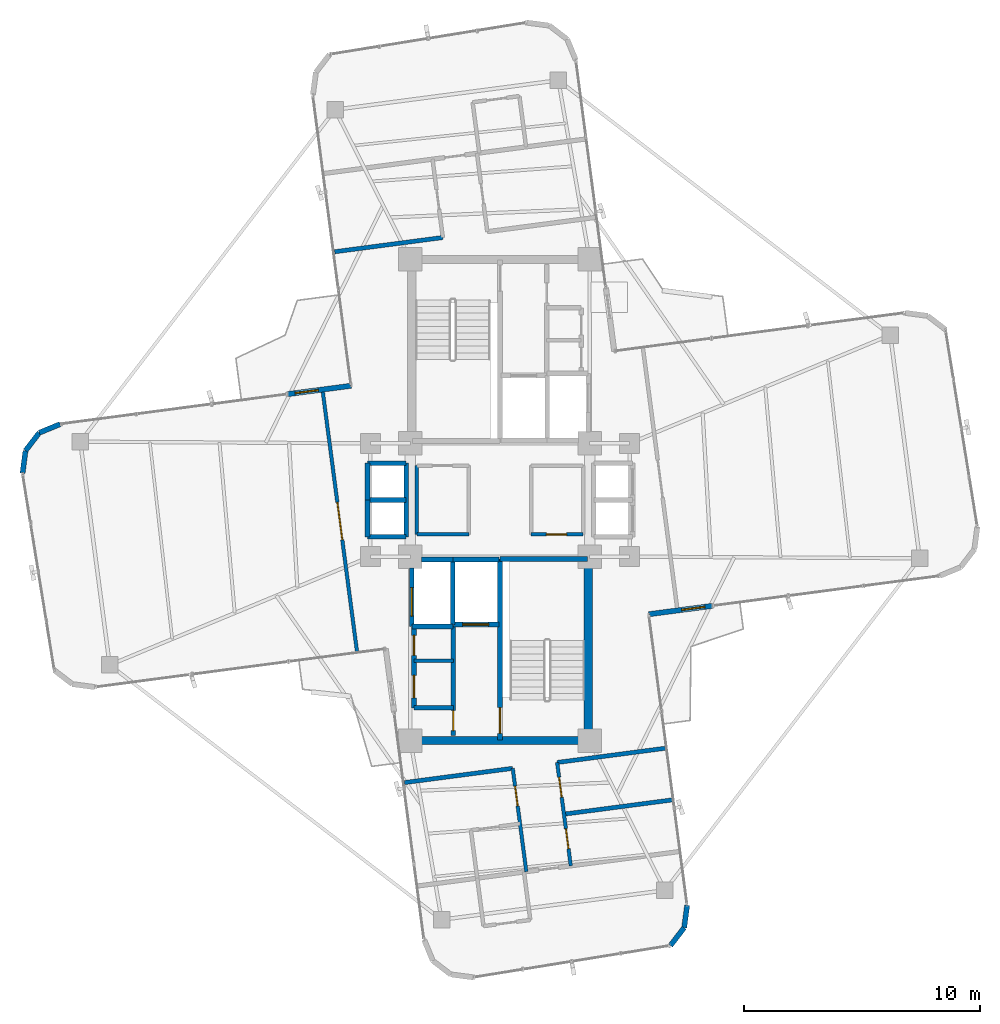
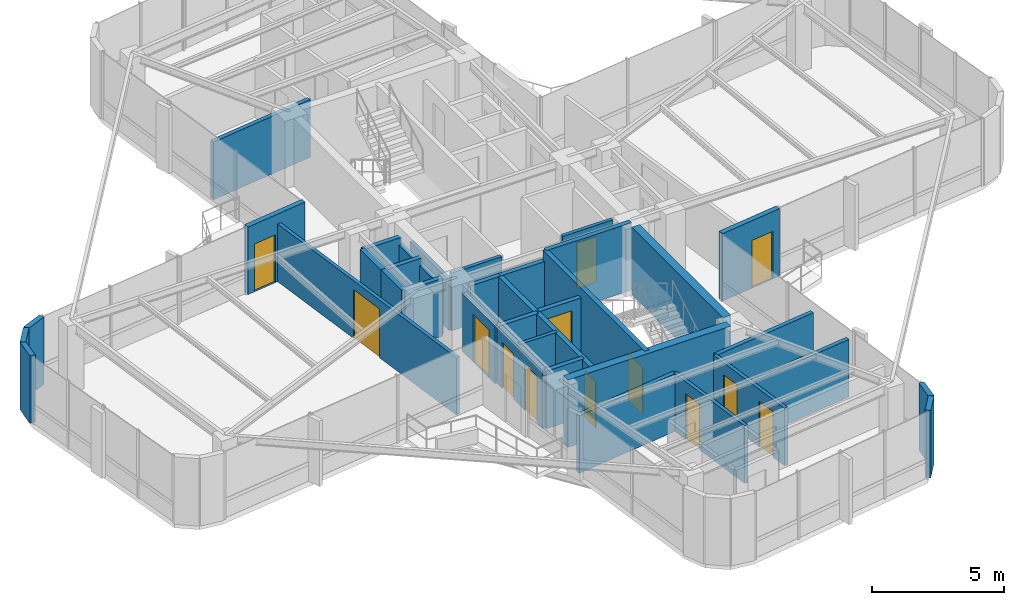
# One storey, part 19 of 22: 37 walls, 13 doors, 13 openings.
"""IFC4 building model written with IfcOpenShell, lengths in metres."""

from ifc_helpers import new_model, si_unit, direction, frame, frame_2d, origin, origin_2d, place, context, subcontext, project, spatial, rectangle, extrude, source, transform, mapped, material, layer, layer_set, type_object, element, fill, save


model = new_model("IFC4")

# Units and contexts
model_context = context("Model", 3, precision=1e-05, world=origin(), true_north=direction((0.0, 1.0)))
body_context = subcontext(model_context, "Body", "Model", "MODEL_VIEW")
ifc_project = project(units=[si_unit("LENGTHUNIT", "METRE"), si_unit("AREAUNIT", "SQUARE_METRE"), si_unit("VOLUMEUNIT", "CUBIC_METRE"), si_unit("PLANEANGLEUNIT", "RADIAN"), si_unit("MASSUNIT", "GRAM", prefix="KILO")], contexts=[model_context])

# Site, building, storey
site_placement = place(None, origin())
site = spatial("IfcSite", under=ifc_project, at=site_placement, CompositionType="ELEMENT")
building_placement = place(site_placement, origin())
building = spatial("IfcBuilding", under=site, at=building_placement, Name="Sahyath Konkavel Grand Hotel", CompositionType="ELEMENT")
storey_placement = place(building_placement, frame((0.0, 0.0, 237.800048828125)))
storey = spatial("IfcBuildingStorey", under=building, at=storey_placement, Name="L66", CompositionType="ELEMENT", Elevation=237.800048828125)

# Walls
ifc_material_1 = material(Name="Concrete C40/50", Category="concrete")
ifc_layer_1 = layer(ifc_material_1, 0.35009765625)
ifc_layer_set_1 = layer_set([ifc_layer_1], Name="Concrete C40/50")
wall_type_1 = type_object("IfcWallType", Name="CWALL-350", PredefinedType="SHEAR", material=ifc_layer_set_1)
wall_1_placement = place(storey_placement, frame((-3.550048828125, -10.199951171875, 0.0), z_axis=(0.0, 0.0, 1.0), x_axis=(1.0, 0.0, 0.0)))
element("IfcWall", 1, at=wall_1_placement, inside=storey, type_object=wall_type_1, Name="L66 South Core Shear Wall S", PredefinedType="SHEAR", context=body_context, shape_type="SweptSolid", body=[
    extrude(rectangle(XDim=7.10009765625, YDim=0.35009765625, at=frame_2d((3.550048828125, 0.0))), origin(), (0.0, 0.0, 1.0), 3.10986328125),
])
wall_2_placement = place(storey_placement, frame((3.739990234375, -9.75, 0.0), z_axis=(0.0, 0.0, 1.0), x_axis=(0.0, 1.0, 0.0)))
element("IfcWall", 2, at=wall_2_placement, inside=storey, type_object=wall_type_1, Name="L66 South Core Shear Wall E", PredefinedType="SHEAR", context=body_context, shape_type="SweptSolid", body=[
    extrude(rectangle(XDim=6.89990234375, YDim=0.35009765625, at=frame_2d((3.449951171875, 0.0))), origin(), (0.0, 0.0, 1.0), 3.10986328125),
])

# Wall, opening, door
ifc_material_2 = material(Name="Warm Buff Sandstone Insulated Concrete C40/50", Category="masonry")
ifc_layer_2 = layer(ifc_material_2, 0.219970703125)
ifc_layer_set_2 = layer_set([ifc_layer_2], Name="Warm Buff Sandstone Insulated Concrete C40/50")
wall_type_2 = type_object("IfcWallType", Name="WLL-BALC-THRESH", PredefinedType="STANDARD", material=ifc_layer_set_2)
wall_3_placement = place(storey_placement, frame((6.31103515625, -4.8427734375, 0.0), z_axis=(0.0, 0.0, 1.0), x_axis=(0.991439824936, 0.130564442062, 0.0)))
wall_3 = element("IfcWall", 3, at=wall_3_placement, inside=storey, type_object=wall_type_2, Name="L66 Winter-Garden Threshold Wall 0", PredefinedType="STANDARD", context=body_context, shape_type="SweptSolid", body=[
    extrude(rectangle(XDim=2.7001953125, YDim=0.219970703125, at=frame_2d((1.35009765625, 0.0))), origin(), (0.0, 0.0, 1.0), 3.10986328125),
])
opening_1_placement = place(wall_3_placement, frame((1.39990234375, 0.0, 0.0)))
opening_1 = element("IfcOpeningElement", 4, at=opening_1_placement, cuts=wall_3, Name="Opening D-TR1", PredefinedType="OPENING", context=body_context, shape_type="SweptSolid", body=[
    extrude(rectangle(XDim=1.0, YDim=2.199951171875, at=frame_2d((0.5, 1.10009765625))), frame((0.0, 0.1201171875, 0.0), z_axis=(0.0, -1.0, 0.0), x_axis=(1.0, 0.0, 0.0)), (0.0, 0.0, 1.0), 0.239990234375),
])
ifc_material_3 = material(Name="Anodised Bronze Aluminium & Low-E Glazing", Category="aluminium")
door_type_1 = type_object("IfcDoorType", Name="DR-TERRACE-1000", OperationType="NOTDEFINED", PredefinedType="DOOR", material=ifc_material_3)
shared_shape_1 = source(origin(), body_context, "Body", "SweptSolid", [
    extrude(rectangle(XDim=1.0, YDim=0.050048828125, at=origin_2d()), origin(), (0.0, 0.0, 1.0), 2.199951171875),
])
door_1_placement = place(opening_1_placement, frame((0.5, 0.0, 0.0)))
door_1 = element("IfcDoor", 5, at=door_1_placement, inside=storey, type_object=door_type_1, Name="L66 Winter-Garden Terrace Door 0", OperationType="SINGLE_SWING_LEFT", OverallHeight=2.199951171875, OverallWidth=1.0, PredefinedType="DOOR", context=body_context, shape_type="MappedRepresentation", body=[
    mapped(shared_shape_1, transform((0.0, 0.0, 0.0), scale=1.0)),
])
fill(opening_1, door_1)

wall_4_placement = place(storey_placement, frame((-6.31103515625, 4.8427734375, 0.0), z_axis=(0.0, 0.0, 1.0), x_axis=(-0.991439824936, -0.130564442062, 0.0)))
wall_4 = element("IfcWall", 6, at=wall_4_placement, inside=storey, type_object=wall_type_2, Name="L66 Winter-Garden Threshold Wall 16", PredefinedType="STANDARD", context=body_context, shape_type="SweptSolid", body=[
    extrude(rectangle(XDim=2.7001953125, YDim=0.219970703125, at=frame_2d((1.35009765625, 0.0))), origin(), (0.0, 0.0, 1.0), 3.10986328125),
])
opening_2_placement = place(wall_4_placement, frame((1.39990234375, 0.0, 0.0)))
opening_2 = element("IfcOpeningElement", 7, at=opening_2_placement, cuts=wall_4, Name="Opening D-TR1", PredefinedType="OPENING", context=body_context, shape_type="SweptSolid", body=[
    extrude(rectangle(XDim=1.0, YDim=2.199951171875, at=frame_2d((0.5, 1.10009765625))), frame((0.0, 0.1201171875, 0.0), z_axis=(0.0, -1.0, 0.0), x_axis=(1.0, 0.0, 0.0)), (0.0, 0.0, 1.0), 0.239990234375),
])
door_2_placement = place(opening_2_placement, frame((0.5, 0.0, 0.0)))
door_2 = element("IfcDoor", 8, at=door_2_placement, inside=storey, type_object=door_type_1, Name="L66 Winter-Garden Terrace Door 16", OperationType="SINGLE_SWING_LEFT", OverallHeight=2.199951171875, OverallWidth=1.0, PredefinedType="DOOR", context=body_context, shape_type="MappedRepresentation", body=[
    mapped(shared_shape_1, transform((0.0, 0.0, 0.0), scale=1.0)),
])
fill(opening_2, door_2)

# Walls
wall_5_placement = place(storey_placement, frame((-18.649658203125, 3.21826171875, 0.0), z_axis=(0.0, 0.0, 1.0), x_axis=(-0.923889442397, -0.382659506909, 0.0)))
element("IfcWall", 9, at=wall_5_placement, inside=storey, type_object=wall_type_2, Name="L66 Rounded Corner Sandstone Pier 17", PredefinedType="STANDARD", context=body_context, shape_type="SweptSolid", body=[
    extrude(rectangle(XDim=0.957763671875, YDim=0.219970703125, at=frame_2d((0.47900390625, 0.0))), origin(), (0.0, 0.0, 1.0), 3.10986328125),
])
wall_6_placement = place(storey_placement, frame((-19.534423828125, 2.851806640625, 0.0), z_axis=(0.0, 0.0, 1.0), x_axis=(-0.60861352168, -0.793466811674, 0.0)))
element("IfcWall", 10, at=wall_6_placement, inside=storey, type_object=wall_type_2, Name="L66 Rounded Corner Sandstone Pier 18", PredefinedType="STANDARD", context=body_context, shape_type="SweptSolid", body=[
    extrude(rectangle(XDim=0.95751953125, YDim=0.219970703125, at=frame_2d((0.478759765625, 0.0))), origin(), (0.0, 0.0, 1.0), 3.10986328125),
])
for number, where, z_axis, x_axis, name in (
    (11, (-20.1171875, 2.092041015625, 0.0), (0.0, 0.0, 1.0), (-0.130527053476, -0.991444747987, 0.0), "L66 Rounded Corner Sandstone Pier 19"),
    (12, (7.2275390625, -18.890380859375, 0.0), (0.0, 0.0, 1.0), (0.608774010809, 0.793343685778, 0.0), "L66 Rounded Corner Sandstone Pier 29"),
    (13, (7.810546875, -18.130615234375, 0.0), (0.0, 0.0, 1.0), (0.130527053476, 0.991444747987, 0.0), "L66 Rounded Corner Sandstone Pier 30"),
):
    element("IfcWall", number, at=place(storey_placement, frame(where, z_axis=z_axis, x_axis=x_axis)), inside=storey, type_object=wall_type_2, Name=name, PredefinedType="STANDARD", context=body_context, shape_type="SweptSolid", body=[
        extrude(rectangle(XDim=0.957763671875, YDim=0.219970703125, at=frame_2d((0.47900390625, 0.0))), origin(), (0.0, 0.0, 1.0), 3.10986328125),
    ])

# Wall, opening, door
ifc_layer_3 = layer(ifc_material_1, 0.199951171875)
ifc_layer_set_3 = layer_set([ifc_layer_3], Name="Concrete C40/50")
wall_type_3 = type_object("IfcWallType", Name="WLL-CORE-200", PredefinedType="SOLIDWALL", material=ifc_layer_set_3)
wall_7_placement = place(storey_placement, frame((0.0, -10.179931640625, 0.0), z_axis=(0.0, 0.0, 1.0), x_axis=(0.0, 1.0, 0.0)))
wall_7 = element("IfcWall", 14, at=wall_7_placement, inside=storey, type_object=wall_type_3, Name="L66 Stair ST-2 Shaft Wall W", PredefinedType="SOLIDWALL", context=body_context, shape_type="SweptSolid", body=[
    extrude(rectangle(XDim=7.679931640625, YDim=0.199951171875, at=frame_2d((3.83984375, 0.0))), origin(), (0.0, 0.0, 1.0), 3.10986328125),
])
opening_3_placement = place(wall_7_placement, frame((0.280029296875, 0.0, 0.0)))
opening_3 = element("IfcOpeningElement", 15, at=opening_3_placement, cuts=wall_7, Name="Opening D-F12B", PredefinedType="OPENING", context=body_context, shape_type="SweptSolid", body=[
    extrude(rectangle(XDim=1.10009765625, YDim=2.14990234375, at=frame_2d((0.550048828125, 1.074951171875))), frame((0.0, 0.10986328125, 0.0), z_axis=(0.0, -1.0, 0.0), x_axis=(1.0, 0.0, 0.0)), (0.0, 0.0, 1.0), 0.219970703125),
])
ifc_material_4 = material(Name="Steel E350 Smokeproof Fire Door", Category="steel")
door_type_2 = type_object("IfcDoorType", Name="DR-FD120-1100", OperationType="NOTDEFINED", PredefinedType="DOOR", material=ifc_material_4)
shared_shape_2 = source(origin(), body_context, "Body", "SweptSolid", [
    extrude(rectangle(XDim=1.10009765625, YDim=0.050048828125, at=origin_2d()), origin(), (0.0, 0.0, 1.0), 2.14990234375),
])
door_3_placement = place(opening_3_placement, frame((0.550048828125, 0.0, 0.0)))
door_3 = element("IfcDoor", 16, at=door_3_placement, inside=storey, type_object=door_type_2, Name="L66 Stair ST-2 Fire Door", OperationType="SINGLE_SWING_LEFT", OverallHeight=2.14990234375, OverallWidth=1.10009765625, PredefinedType="DOOR", context=body_context, shape_type="MappedRepresentation", body=[
    mapped(shared_shape_2, transform((0.0, 0.0, 0.0), scale=1.0)),
])
fill(opening_3, door_3)

# Wall
wall_8_placement = place(storey_placement, frame((0.0, -2.5, 0.0), z_axis=(0.0, 0.0, 1.0), x_axis=(1.0, 0.0, 0.0)))
element("IfcWall", 17, at=wall_8_placement, inside=storey, type_object=wall_type_3, Name="L66 Stair ST-2 Shaft Wall N", PredefinedType="SOLIDWALL", context=body_context, shape_type="SweptSolid", body=[
    extrude(rectangle(XDim=3.719970703125, YDim=0.199951171875, at=frame_2d((1.85986328125, 0.0))), origin(), (0.0, 0.0, 1.0), 3.10986328125),
])

# Wall, opening, door
wall_9_placement = place(storey_placement, frame((-1.97998046875, -9.97998046875, 0.0), z_axis=(0.0, 0.0, 1.0), x_axis=(0.0, 1.0, 0.0)))
wall_9 = element("IfcWall", 18, at=wall_9_placement, inside=storey, type_object=wall_type_3, Name="L66 South Firefighting Lobby Wall W", PredefinedType="SOLIDWALL", context=body_context, shape_type="SweptSolid", body=[
    extrude(rectangle(XDim=4.659912109375, YDim=0.199951171875, at=frame_2d((2.330078125, 0.0))), origin(), (0.0, 0.0, 1.0), 2.659912109375),
])
opening_4_placement = place(wall_9_placement, frame((0.199951171875, 0.0, 0.0)))
opening_4 = element("IfcOpeningElement", 19, at=opening_4_placement, cuts=wall_9, Name="Opening D-F12D", PredefinedType="OPENING", context=body_context, shape_type="SweptSolid", body=[
    extrude(rectangle(XDim=0.85009765625, YDim=2.10009765625, at=frame_2d((0.425048828125, 1.050048828125))), frame((0.0, 0.10986328125, 0.0), z_axis=(0.0, -1.0, 0.0), x_axis=(1.0, 0.0, 0.0)), (0.0, 0.0, 1.0), 0.219970703125),
])
ifc_material_5 = material(Name="Steel E350 Core Fire Door", Category="steel")
door_type_3 = type_object("IfcDoorType", Name="DR-FD120-850", OperationType="NOTDEFINED", PredefinedType="DOOR", material=ifc_material_5)
shared_shape_3 = source(origin(), body_context, "Body", "SweptSolid", [
    extrude(rectangle(XDim=0.85009765625, YDim=0.050048828125, at=origin_2d()), origin(), (0.0, 0.0, 1.0), 2.10009765625),
])
door_4_placement = place(opening_4_placement, frame((0.425048828125, 0.0, 0.0)))
door_4 = element("IfcDoor", 20, at=door_4_placement, inside=storey, type_object=door_type_3, Name="L66 South Firefighting Lobby Door", OperationType="SINGLE_SWING_LEFT", OverallHeight=2.10009765625, OverallWidth=0.85009765625, PredefinedType="DOOR", context=body_context, shape_type="MappedRepresentation", body=[
    mapped(shared_shape_3, transform((0.0, 0.0, 0.0), scale=1.0)),
])
fill(opening_4, door_4)

# Walls
wall_10_placement = place(storey_placement, frame((-2.0, -5.280029296875, 0.0), z_axis=(0.0, 0.0, 1.0), x_axis=(0.0, 1.0, 0.0)))
element("IfcWall", 21, at=wall_10_placement, inside=storey, type_object=wall_type_3, Name="L66 Partition SH-FFL2-W", PredefinedType="SOLIDWALL", context=body_context, shape_type="SweptSolid", body=[
    extrude(rectangle(XDim=2.780029296875, YDim=0.199951171875, at=frame_2d((1.39013671875, 0.0))), origin(), (0.0, 0.0, 1.0), 2.659912109375),
])
wall_11_placement = place(storey_placement, frame((-2.0, -2.52001953125, 0.0), z_axis=(0.0, 0.0, 1.0), x_axis=(1.0, 0.0, 0.0)))
element("IfcWall", 22, at=wall_11_placement, inside=storey, type_object=wall_type_3, Name="L66 Partition SH-FFL2-N", PredefinedType="SOLIDWALL", context=body_context, shape_type="SweptSolid", body=[
    extrude(rectangle(XDim=1.949951171875, YDim=0.199951171875, at=frame_2d((0.97509765625, 0.0))), origin(), (0.0, 0.0, 1.0), 2.659912109375),
])

# Wall, opening, door
wall_12_placement = place(storey_placement, frame((-1.97998046875, -5.280029296875, 0.0), z_axis=(0.0, 0.0, 1.0), x_axis=(1.0, 0.0, 0.0)))
wall_12 = element("IfcWall", 23, at=wall_12_placement, inside=storey, type_object=wall_type_3, Name="L66 Partition SH-FFL2-S", PredefinedType="SOLIDWALL", context=body_context, shape_type="SweptSolid", body=[
    extrude(rectangle(XDim=1.929931640625, YDim=0.199951171875, at=frame_2d((0.96484375, 0.0))), origin(), (0.0, 0.0, 1.0), 2.659912109375),
])
opening_5_placement = place(wall_12_placement, frame((0.39990234375, 0.0, 0.0)))
opening_5 = element("IfcOpeningElement", 24, at=opening_5_placement, cuts=wall_12, Name="Opening LD-11", PredefinedType="OPENING", context=body_context, shape_type="SweptSolid", body=[
    extrude(rectangle(XDim=1.10009765625, YDim=2.199951171875, at=frame_2d((0.550048828125, 1.10009765625))), frame((0.0, 0.10986328125, 0.0), z_axis=(0.0, -1.0, 0.0), x_axis=(1.0, 0.0, 0.0)), (0.0, 0.0, 1.0), 0.219970703125),
])
ifc_material_6 = material(Name="Bronze Lift Landing Door 1100")
door_type_4 = type_object("IfcDoorType", Name="DR-LIFT-1100", OperationType="DOUBLE_DOOR_SLIDING", PredefinedType="DOOR", material=ifc_material_6)
shared_shape_4 = source(origin(), body_context, "Body", "SweptSolid", [
    extrude(rectangle(XDim=1.10009765625, YDim=0.050048828125, at=origin_2d()), origin(), (0.0, 0.0, 1.0), 2.199951171875),
])
door_5_placement = place(opening_5_placement, frame((0.550048828125, 0.0, 0.0)))
door_5 = element("IfcDoor", 25, at=door_5_placement, inside=storey, type_object=door_type_4, Name="L66 Lift FFL-2 Landing Door", OperationType="DOUBLE_DOOR_SLIDING", OverallHeight=2.199951171875, OverallWidth=1.10009765625, PredefinedType="DOOR", context=body_context, shape_type="MappedRepresentation", body=[
    mapped(shared_shape_4, transform((0.0, 0.0, 0.0), scale=1.0)),
])
fill(opening_5, door_5)

# Walls
wall_13_placement = place(storey_placement, frame((-3.320068359375, -2.52001953125, 0.0), z_axis=(0.0, 0.0, 1.0), x_axis=(1.0, 0.0, 0.0)))
element("IfcWall", 26, at=wall_13_placement, inside=storey, type_object=wall_type_3, Name="L66 Partition SH-SVL2-N", PredefinedType="SOLIDWALL", context=body_context, shape_type="SweptSolid", body=[
    extrude(rectangle(XDim=1.320068359375, YDim=0.199951171875, at=frame_2d((0.66015625, 0.0))), origin(), (0.0, 0.0, 1.0), 2.659912109375),
])
wall_14_placement = place(storey_placement, frame((-3.739990234375, -5.360107421875, 0.0), z_axis=(0.0, 0.0, 1.0), x_axis=(1.0, 0.0, 0.0)))
element("IfcWall", 27, at=wall_14_placement, inside=storey, type_object=wall_type_3, Name="L66 Partition SH-SVL2-S", PredefinedType="SOLIDWALL", context=body_context, shape_type="SweptSolid", body=[
    extrude(rectangle(XDim=1.739990234375, YDim=0.199951171875, at=frame_2d((0.8701171875, 0.0))), origin(), (0.0, 0.0, 1.0), 2.659912109375),
])

# Wall, opening, door
wall_15_placement = place(storey_placement, frame((-3.739990234375, -5.360107421875, 0.0), z_axis=(0.0, 0.0, 1.0), x_axis=(0.0, 1.0, 0.0)))
wall_15 = element("IfcWall", 28, at=wall_15_placement, inside=storey, type_object=wall_type_3, Name="L66 Partition SH-SVL2-W", PredefinedType="SOLIDWALL", context=body_context, shape_type="SweptSolid", body=[
    extrude(rectangle(XDim=2.480224609375, YDim=0.199951171875, at=frame_2d((1.240234375, 0.0))), origin(), (0.0, 0.0, 1.0), 2.659912109375),
])
opening_6_placement = place(wall_15_placement, frame((0.43994140625, 0.0, 0.0)))
opening_6 = element("IfcOpeningElement", 29, at=opening_6_placement, cuts=wall_15, Name="Opening LD-12", PredefinedType="OPENING", context=body_context, shape_type="SweptSolid", body=[
    extrude(rectangle(XDim=1.199951171875, YDim=2.199951171875, at=frame_2d((0.60009765625, 1.10009765625))), frame((0.0, 0.10986328125, 0.0), z_axis=(0.0, -1.0, 0.0), x_axis=(1.0, 0.0, 0.0)), (0.0, 0.0, 1.0), 0.219970703125),
])
ifc_material_7 = material(Name="Stainless Steel Lift Landing Door 1200", Category="steel")
door_type_5 = type_object("IfcDoorType", Name="DR-LIFT-1200", OperationType="DOUBLE_DOOR_SLIDING", PredefinedType="DOOR", material=ifc_material_7)
shared_shape_5 = source(origin(), body_context, "Body", "SweptSolid", [
    extrude(rectangle(XDim=1.199951171875, YDim=0.050048828125, at=origin_2d()), origin(), (0.0, 0.0, 1.0), 2.199951171875),
])
door_6_placement = place(opening_6_placement, frame((0.60009765625, 0.0, 0.0)))
door_6 = element("IfcDoor", 30, at=door_6_placement, inside=storey, type_object=door_type_5, Name="L66 Service Lift SVL-2 Landing Door", OperationType="DOUBLE_DOOR_SLIDING", OverallHeight=2.199951171875, OverallWidth=1.199951171875, PredefinedType="DOOR", context=body_context, shape_type="MappedRepresentation", body=[
    mapped(shared_shape_5, transform((0.0, 0.0, 0.0), scale=1.0)),
])
fill(opening_6, door_6)

# Walls
wall_16_placement = place(storey_placement, frame((-3.97998046875, -1.56005859375, 0.0), z_axis=(0.0, 0.0, 1.0), x_axis=(0.0, 1.0, 0.0)))
element("IfcWall", 31, at=wall_16_placement, inside=storey, type_object=wall_type_3, Name="L66 Partition SH-SL12-E", PredefinedType="SOLIDWALL", context=body_context, shape_type="SweptSolid", body=[
    extrude(rectangle(XDim=3.1201171875, YDim=0.199951171875, at=frame_2d((1.56005859375, 0.0))), origin(), (0.0, 0.0, 1.0), 2.329833984375),
])
for number, where, z_axis, x_axis, name in (
    (32, (-5.6201171875, 1.56005859375, 0.0), (0.0, 0.0, 1.0), (1.0, 0.0, 0.0), "L66 Partition SH-SL12-N"),
    (33, (-5.6201171875, -1.56005859375, 0.0), (0.0, 0.0, 1.0), (1.0, 0.0, 0.0), "L66 Partition SH-SL12-S"),
    (34, (-5.6201171875, 0.0, 0.0), (0.0, 0.0, 1.0), (1.0, 0.0, 0.0), "L66 Partition SH-SL12-M"),
):
    element("IfcWall", number, at=place(storey_placement, frame(where, z_axis=z_axis, x_axis=x_axis)), inside=storey, type_object=wall_type_3, Name=name, PredefinedType="SOLIDWALL", context=body_context, shape_type="SweptSolid", body=[
        extrude(rectangle(XDim=1.64013671875, YDim=0.199951171875, at=frame_2d((0.820068359375, 0.0))), origin(), (0.0, 0.0, 1.0), 2.659912109375),
    ])
for number, where, z_axis, x_axis, name in (
    (35, (-5.6201171875, 0.0, 0.0), (0.0, 0.0, 1.0), (0.0, 1.0, 0.0), "L66 Partition SH-SL1-W"),
    (36, (-5.6201171875, -1.56005859375, 0.0), (0.0, 0.0, 1.0), (0.0, 1.0, 0.0), "L66 Partition SH-SL2-W"),
):
    element("IfcWall", number, at=place(storey_placement, frame(where, z_axis=z_axis, x_axis=x_axis)), inside=storey, type_object=wall_type_3, Name=name, PredefinedType="SOLIDWALL", context=body_context, shape_type="SweptSolid", body=[
        extrude(rectangle(XDim=1.56005859375, YDim=0.199951171875, at=frame_2d((0.780029296875, 0.0))), origin(), (0.0, 0.0, 1.0), 2.659912109375),
    ])

# Wall, openings, doors
wall_17_placement = place(storey_placement, frame((-3.64990234375, -8.81005859375, 0.0), z_axis=(0.0, 0.0, 1.0), x_axis=(0.0, 1.0, 0.0)))
wall_17 = element("IfcWall", 37, at=wall_17_placement, inside=storey, type_object=wall_type_3, Name="L66 Reclaimed South Core Wall W", PredefinedType="SOLIDWALL", context=body_context, shape_type="SweptSolid", body=[
    extrude(rectangle(XDim=3.43017578125, YDim=0.199951171875, at=frame_2d((1.715087890625, 0.0))), origin(), (0.0, 0.0, 1.0), 2.659912109375),
])
opening_7_placement = place(wall_17_placement, frame((0.419921875, 0.0, 0.0)))
opening_7 = element("IfcOpeningElement", 38, at=opening_7_placement, cuts=wall_17, Name="Opening D-AC95", PredefinedType="OPENING", context=body_context, shape_type="SweptSolid", body=[
    extrude(rectangle(XDim=0.949951171875, YDim=2.14990234375, at=frame_2d((0.47509765625, 1.074951171875))), frame((0.0, 0.10986328125, 0.0), z_axis=(0.0, -1.0, 0.0), x_axis=(1.0, 0.0, 0.0)), (0.0, 0.0, 1.0), 0.219970703125),
])
opening_8_placement = place(wall_17_placement, frame((2.219970703125, 0.0, 0.0)))
opening_8 = element("IfcOpeningElement", 39, at=opening_8_placement, cuts=wall_17, Name="Opening D-F06D", PredefinedType="OPENING", context=body_context, shape_type="SweptSolid", body=[
    extrude(rectangle(XDim=0.85009765625, YDim=2.10009765625, at=frame_2d((0.425048828125, 1.050048828125))), frame((0.0, 0.10986328125, 0.0), z_axis=(0.0, -1.0, 0.0), x_axis=(1.0, 0.0, 0.0)), (0.0, 0.0, 1.0), 0.219970703125),
])
ifc_material_8 = material(Name="Accessible Washroom Timber Door", Category="wood")
door_type_6 = type_object("IfcDoorType", Name="DR-ACC-950", OperationType="NOTDEFINED", PredefinedType="DOOR", material=ifc_material_8)
shared_shape_6 = source(origin(), body_context, "Body", "SweptSolid", [
    extrude(rectangle(XDim=0.949951171875, YDim=0.050048828125, at=origin_2d()), origin(), (0.0, 0.0, 1.0), 2.14990234375),
])
door_7_placement = place(opening_7_placement, frame((0.47509765625, 0.0, 0.0)))
door_7 = element("IfcDoor", 40, at=door_7_placement, inside=storey, type_object=door_type_6, Name="L66 Door SC-REC1-D", OperationType="SINGLE_SWING_RIGHT", OverallHeight=2.14990234375, OverallWidth=0.949951171875, PredefinedType="DOOR", context=body_context, shape_type="MappedRepresentation", body=[
    mapped(shared_shape_6, transform((0.0, 0.0, 0.0), scale=1.0)),
])
fill(opening_7, door_7)
ifc_material_9 = material(Name="Fire-Rated Shaft Access Door")
door_type_7 = type_object("IfcDoorType", Name="DR-FD60-850", OperationType="NOTDEFINED", PredefinedType="DOOR", material=ifc_material_9)
door_8_placement = place(opening_8_placement, frame((0.425048828125, 0.0, 0.0)))
door_8 = element("IfcDoor", 41, at=door_8_placement, inside=storey, type_object=door_type_7, Name="L66 Door SC-REC2-D", OperationType="SINGLE_SWING_LEFT", OverallHeight=2.10009765625, OverallWidth=0.85009765625, PredefinedType="DOOR", context=body_context, shape_type="MappedRepresentation", body=[
    mapped(shared_shape_3, transform((0.0, 0.0, 0.0), scale=1.0)),
])
fill(opening_8, door_8)

# Walls
wall_18_placement = place(storey_placement, frame((-3.64990234375, -8.81005859375, 0.0), z_axis=(0.0, 0.0, 1.0), x_axis=(1.0, 0.0, 0.0)))
element("IfcWall", 42, at=wall_18_placement, inside=storey, type_object=wall_type_3, Name="L66 Partition SC-REC-S", PredefinedType="SOLIDWALL", context=body_context, shape_type="SweptSolid", body=[
    extrude(rectangle(XDim=1.669921875, YDim=0.199951171875, at=frame_2d((0.8349609375, 0.0))), origin(), (0.0, 0.0, 1.0), 2.659912109375),
])
ifc_material_10 = material(Name="Twin-Stud Acoustic Gypsum Plasterboard Partition")
ifc_layer_4 = layer(ifc_material_10, 0.179931640625)
ifc_layer_set_4 = layer_set([ifc_layer_4], Name="Twin-Stud Acoustic Gypsum Plasterboard Partition")
wall_type_4 = type_object("IfcWallType", Name="WLL-DEMISE-180", PredefinedType="PARTITIONING", material=ifc_layer_set_4)
for number, where, z_axis, x_axis, name in (
    (43, (-2.42333984375, 11.12890625, 0.0), (0.0, 0.0, 1.0), (-0.991442792852, -0.130541903244, 0.0), "L66 Partition N-INL"),
    (44, (2.42333984375, -11.12890625, 0.0), (0.0, 0.0, 1.0), (0.991442792852, 0.130541903244, 0.0), "L66 Partition S-INL"),
    (45, (-4.0458984375, -11.980712890625, 0.0), (0.0, 0.0, 1.0), (0.991442792852, 0.130541903244, 0.0), "L66 Partition S-INR"),
):
    element("IfcWall", number, at=place(storey_placement, frame(where, z_axis=z_axis, x_axis=x_axis)), inside=storey, type_object=wall_type_4, Name=name, PredefinedType="PARTITIONING", context=body_context, shape_type="SweptSolid", body=[
        extrude(rectangle(XDim=4.625, YDim=0.179931640625, at=frame_2d((2.3125, 0.0))), origin(), (0.0, 0.0, 1.0), 2.659912109375),
    ])
wall_19_placement = place(storey_placement, frame((2.7119140625, -13.320068359375, 0.0), z_axis=(0.0, 0.0, 1.0), x_axis=(0.99144189323, 0.130548735528, 0.0)))
element("IfcWall", 46, at=wall_19_placement, inside=storey, type_object=wall_type_4, Name="L66 Partition S-S4L1-DEM", PredefinedType="PARTITIONING", context=body_context, shape_type="SweptSolid", body=[
    extrude(rectangle(XDim=4.624755859375, YDim=0.179931640625, at=frame_2d((2.3125, 0.0))), origin(), (0.0, 0.0, 1.0), 2.659912109375),
])
ifc_material_11 = material(Name="Fire-Rated Gypsum Plasterboard Partition")
ifc_layer_5 = layer(ifc_material_11, 0.14990234375)
ifc_layer_set_5 = layer_set([ifc_layer_5], Name="Fire-Rated Gypsum Plasterboard Partition")
wall_type_5 = type_object("IfcWallType", Name="WLL-PART-150", PredefinedType="PARTITIONING", material=ifc_layer_set_5)
wall_20_placement = place(storey_placement, frame((-3.64990234375, -6.81005859375, 0.0), z_axis=(0.0, 0.0, 1.0), x_axis=(1.0, 0.0, 0.0)))
element("IfcWall", 47, at=wall_20_placement, inside=storey, type_object=wall_type_5, Name="L66 Partition SC-REC-M1", PredefinedType="PARTITIONING", context=body_context, shape_type="SweptSolid", body=[
    extrude(rectangle(XDim=1.669921875, YDim=0.14990234375, at=frame_2d((0.8349609375, 0.0))), origin(), (0.0, 0.0, 1.0), 2.659912109375),
])
wall_21_placement = place(storey_placement, frame((-3.52001953125, -1.4599609375, 0.0), z_axis=(0.0, 0.0, 1.0), x_axis=(0.0, 1.0, 0.0)))
element("IfcWall", 48, at=wall_21_placement, inside=storey, type_object=wall_type_5, Name="L66 Partition CC-1WO", PredefinedType="PARTITIONING", context=body_context, shape_type="SweptSolid", body=[
    extrude(rectangle(XDim=2.919921875, YDim=0.14990234375, at=frame_2d((1.4599609375, 0.0))), origin(), (0.0, 0.0, 1.0), 2.329833984375),
])
wall_22_placement = place(storey_placement, frame((-3.52001953125, -1.4599609375, 0.0), z_axis=(0.0, 0.0, 1.0), x_axis=(1.0, 0.0, 0.0)))
element("IfcWall", 49, at=wall_22_placement, inside=storey, type_object=wall_type_5, Name="L66 Partition CC-1WS", PredefinedType="PARTITIONING", context=body_context, shape_type="SweptSolid", body=[
    extrude(rectangle(XDim=2.199951171875, YDim=0.14990234375, at=frame_2d((1.10009765625, 0.0))), origin(), (0.0, 0.0, 1.0), 2.659912109375),
])

# Wall, opening, door
wall_23_placement = place(storey_placement, frame((1.320068359375, -1.4599609375, 0.0), z_axis=(0.0, 0.0, 1.0), x_axis=(1.0, 0.0, 0.0)))
wall_23 = element("IfcWall", 50, at=wall_23_placement, inside=storey, type_object=wall_type_5, Name="L66 Partition CC-1ES", PredefinedType="PARTITIONING", context=body_context, shape_type="SweptSolid", body=[
    extrude(rectangle(XDim=2.199951171875, YDim=0.14990234375, at=frame_2d((1.10009765625, 0.0))), origin(), (0.0, 0.0, 1.0), 2.659912109375),
])
opening_9_placement = place(wall_23_placement, frame((0.64990234375, 0.0, 0.0)))
opening_9 = element("IfcOpeningElement", 51, at=opening_9_placement, cuts=wall_23, Name="Opening D-F06D", PredefinedType="OPENING", context=body_context, shape_type="SweptSolid", body=[
    extrude(rectangle(XDim=0.85009765625, YDim=2.10009765625, at=frame_2d((0.425048828125, 1.050048828125))), frame((0.0, 0.0849609375, 0.0), z_axis=(0.0, -1.0, 0.0), x_axis=(1.0, 0.0, 0.0)), (0.0, 0.0, 1.0), 0.169921875),
])
door_9_placement = place(opening_9_placement, frame((0.425048828125, 0.0, 0.0)))
door_9 = element("IfcDoor", 52, at=door_9_placement, inside=storey, type_object=door_type_7, Name="L66 Door CC-D1E", OperationType="SINGLE_SWING_LEFT", OverallHeight=2.10009765625, OverallWidth=0.85009765625, PredefinedType="DOOR", context=body_context, shape_type="MappedRepresentation", body=[
    mapped(shared_shape_3, transform((0.0, 0.0, 0.0), scale=1.0)),
])
fill(opening_9, door_9)

wall_24_placement = place(storey_placement, frame((-7.51904296875, 4.63330078125, 0.0), z_axis=(0.0, 0.0, 1.0), x_axis=(0.130521347626, -0.991445499165, 0.0)))
wall_24 = element("IfcWall", 53, at=wall_24_placement, inside=storey, type_object=wall_type_5, Name="L66 Partition W-SAL-IN", PredefinedType="PARTITIONING", context=body_context, shape_type="SweptSolid", body=[
    extrude(rectangle(XDim=11.150146484375, YDim=0.14990234375, at=frame_2d((5.5751953125, 0.0))), origin(), (0.0, 0.0, 1.0), 2.659912109375),
])
opening_10_placement = place(wall_24_placement, frame((4.77490234375, 0.0, 0.0)))
opening_10 = element("IfcOpeningElement", 54, at=opening_10_placement, cuts=wall_24, Name="Opening D-DB16", PredefinedType="OPENING", context=body_context, shape_type="SweptSolid", body=[
    extrude(rectangle(XDim=1.60009765625, YDim=2.25, at=frame_2d((0.800048828125, 1.125))), frame((0.0, 0.0849609375, 0.0), z_axis=(0.0, -1.0, 0.0), x_axis=(1.0, 0.0, 0.0)), (0.0, 0.0, 1.0), 0.169921875),
])
ifc_material_12 = material(Name="Double Leaf Lounge Glazed Timber Door", Category="wood")
door_type_8 = type_object("IfcDoorType", Name="DR-DBL-1600", OperationType="DOUBLE_DOOR_SINGLE_SWING", PredefinedType="DOOR", material=ifc_material_12)
shared_shape_7 = source(origin(), body_context, "Body", "SweptSolid", [
    extrude(rectangle(XDim=1.60009765625, YDim=0.050048828125, at=origin_2d()), origin(), (0.0, 0.0, 1.0), 2.25),
])
door_10_placement = place(opening_10_placement, frame((0.800048828125, 0.0, 0.0)))
door_10 = element("IfcDoor", 55, at=door_10_placement, inside=storey, type_object=door_type_8, Name="L66 Door W-SAL-D", OperationType="DOUBLE_DOOR_SINGLE_SWING", OverallHeight=2.25, OverallWidth=1.60009765625, PredefinedType="DOOR", context=body_context, shape_type="MappedRepresentation", body=[
    mapped(shared_shape_7, transform((0.0, 0.0, 0.0), scale=1.0)),
])
fill(opening_10, door_10)

# Wall, openings, doors
wall_25_placement = place(storey_placement, frame((2.42333984375, -11.12890625, 0.0), z_axis=(0.0, 0.0, 1.0), x_axis=(0.130524526471, -0.991445080672, 0.0)))
wall_25 = element("IfcWall", 56, at=wall_25_placement, inside=storey, type_object=wall_type_5, Name="L66 Partition S-CL", PredefinedType="PARTITIONING", context=body_context, shape_type="SweptSolid", body=[
    extrude(rectangle(XDim=4.419921875, YDim=0.14990234375, at=frame_2d((2.2099609375, 0.0))), origin(), (0.0, 0.0, 1.0), 2.659912109375),
])
opening_11_placement = place(wall_25_placement, frame((0.6298828125, 0.0, 0.0)))
opening_11 = element("IfcOpeningElement", 57, at=opening_11_placement, cuts=wall_25, Name="Opening D-F06D", PredefinedType="OPENING", context=body_context, shape_type="SweptSolid", body=[
    extrude(rectangle(XDim=0.85009765625, YDim=2.10009765625, at=frame_2d((0.425048828125, 1.050048828125))), frame((0.0, 0.0849609375, 0.0), z_axis=(0.0, -1.0, 0.0), x_axis=(1.0, 0.0, 0.0)), (0.0, 0.0, 1.0), 0.169921875),
])
opening_12_placement = place(wall_25_placement, frame((2.840087890625, 0.0, 0.0)))
opening_12 = element("IfcOpeningElement", 58, at=opening_12_placement, cuts=wall_25, Name="Opening D-F06D", PredefinedType="OPENING", context=body_context, shape_type="SweptSolid", body=[
    extrude(rectangle(XDim=0.85009765625, YDim=2.10009765625, at=frame_2d((0.425048828125, 1.050048828125))), frame((0.0, 0.0849609375, 0.0), z_axis=(0.0, -1.0, 0.0), x_axis=(1.0, 0.0, 0.0)), (0.0, 0.0, 1.0), 0.169921875),
])
door_11_placement = place(opening_11_placement, frame((0.425048828125, 0.0, 0.0)))
door_11 = element("IfcDoor", 59, at=door_11_placement, inside=storey, type_object=door_type_7, Name="L66 Door S-S4L1-D", OperationType="SINGLE_SWING_RIGHT", OverallHeight=2.10009765625, OverallWidth=0.85009765625, PredefinedType="DOOR", context=body_context, shape_type="MappedRepresentation", body=[
    mapped(shared_shape_3, transform((0.0, 0.0, 0.0), scale=1.0)),
])
fill(opening_11, door_11)
door_12_placement = place(opening_12_placement, frame((0.425048828125, 0.0, 0.0)))
door_12 = element("IfcDoor", 60, at=door_12_placement, inside=storey, type_object=door_type_7, Name="L66 Door S-S4L2-D", OperationType="SINGLE_SWING_LEFT", OverallHeight=2.10009765625, OverallWidth=0.85009765625, PredefinedType="DOOR", context=body_context, shape_type="MappedRepresentation", body=[
    mapped(shared_shape_3, transform((0.0, 0.0, 0.0), scale=1.0)),
])
fill(opening_12, door_12)

# Wall, opening, door
wall_26_placement = place(storey_placement, frame((0.53955078125, -11.376953125, 0.0), z_axis=(0.0, 0.0, 1.0), x_axis=(0.130524526471, -0.991445080672, 0.0)))
wall_26 = element("IfcWall", 61, at=wall_26_placement, inside=storey, type_object=wall_type_5, Name="L66 Partition S-CR", PredefinedType="PARTITIONING", context=body_context, shape_type="SweptSolid", body=[
    extrude(rectangle(XDim=4.419921875, YDim=0.14990234375, at=frame_2d((2.2099609375, 0.0))), origin(), (0.0, 0.0, 1.0), 2.659912109375),
])
opening_13_placement = place(wall_26_placement, frame((0.760009765625, 0.0, 0.0)))
opening_13 = element("IfcOpeningElement", 62, at=opening_13_placement, cuts=wall_26, Name="Opening D-F06D", PredefinedType="OPENING", context=body_context, shape_type="SweptSolid", body=[
    extrude(rectangle(XDim=0.85009765625, YDim=2.10009765625, at=frame_2d((0.425048828125, 1.050048828125))), frame((0.0, 0.0849609375, 0.0), z_axis=(0.0, -1.0, 0.0), x_axis=(1.0, 0.0, 0.0)), (0.0, 0.0, 1.0), 0.169921875),
])
door_13_placement = place(opening_13_placement, frame((0.425048828125, 0.0, 0.0)))
door_13 = element("IfcDoor", 63, at=door_13_placement, inside=storey, type_object=door_type_7, Name="L66 Door S-S4R1-ED", OperationType="SINGLE_SWING_LEFT", OverallHeight=2.10009765625, OverallWidth=0.85009765625, PredefinedType="DOOR", context=body_context, shape_type="MappedRepresentation", body=[
    mapped(shared_shape_3, transform((0.0, 0.0, 0.0), scale=1.0)),
])
fill(opening_13, door_13)

save(model, "model.ifc")
